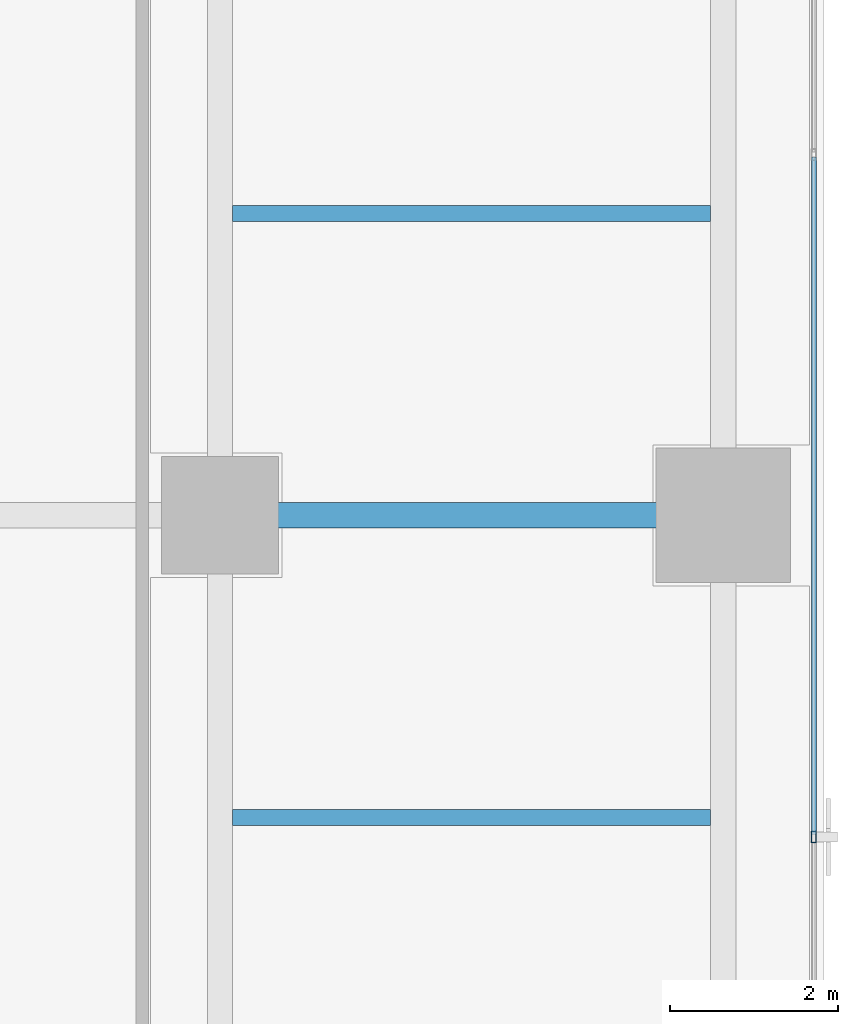
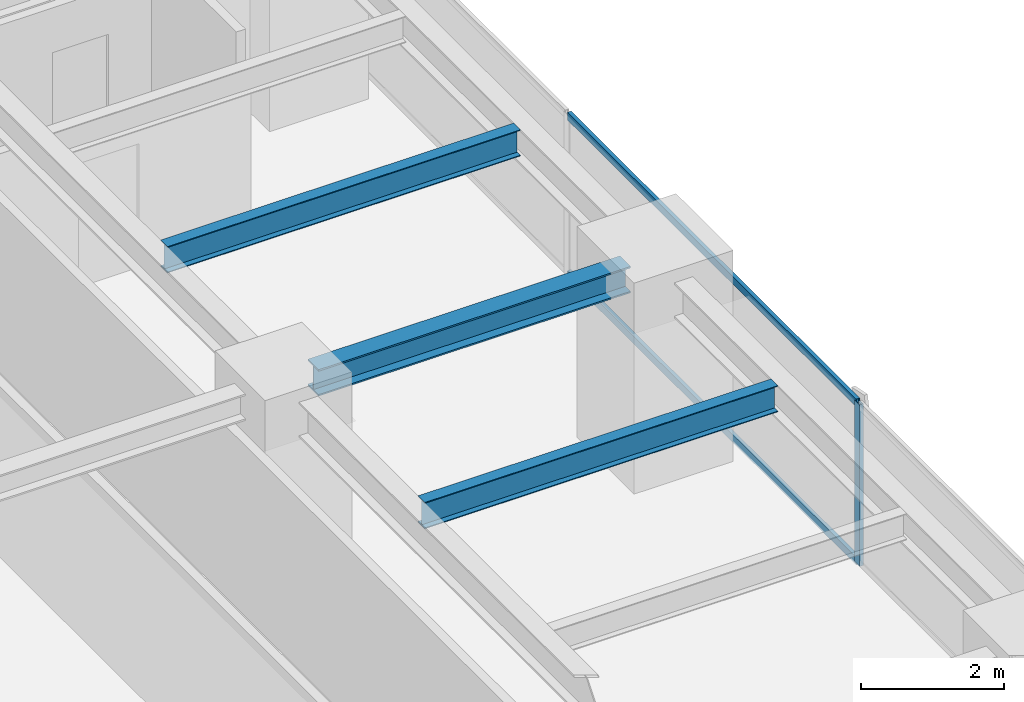
# One storey, part 15 of 29: 3 beams, 3 members, 1 element without a shape of its own.
"""IFC4 building model written with IfcOpenShell, lengths in metres."""

from ifc_helpers import new_model, si_unit, direction, frame, origin, origin_2d, place, context, subcontext, project, spatial, hollow_rectangle, i_section, extrude, source, transform, mapped, material, layer, layer_set, material_profile, profile_set, type_object, element, aggregate, save


model = new_model("IFC4")

# Units and contexts
model_context = context("Model", 3, precision=1e-05, world=origin(), true_north=direction((0.0, 1.0)))
body_context = subcontext(model_context, "Body", "Model", "MODEL_VIEW")
ifc_project = project(units=[si_unit("LENGTHUNIT", "METRE"), si_unit("AREAUNIT", "SQUARE_METRE"), si_unit("VOLUMEUNIT", "CUBIC_METRE"), si_unit("PLANEANGLEUNIT", "RADIAN"), si_unit("MASSUNIT", "GRAM", prefix="KILO")], contexts=[model_context])

# Site, building, storey
site_placement = place(None, origin())
site = spatial("IfcSite", under=ifc_project, at=site_placement, CompositionType="ELEMENT")
building_placement = place(site_placement, origin())
building = spatial("IfcBuilding", under=site, at=building_placement, Name="Sumidabori Civic Tower", CompositionType="ELEMENT")
storey_placement = place(building_placement, frame((0.0, 0.0, 207.199951171875)))
storey = spatial("IfcBuildingStorey", under=building, at=storey_placement, Name="L53", CompositionType="ELEMENT", Elevation=207.199951171875)

# Beams
ifc_material_1 = material(Name="Steel SN490", Category="steel")
ifc_material_profile_1 = material_profile(ifc_material_1, i_section(OverallWidth=0.18994140625, OverallDepth=0.449951171875, WebThickness=0.009521484375, FlangeThickness=0.0146484375, at=origin_2d()), Name="IPE 450")
ifc_profile_set_1 = profile_set([ifc_material_profile_1], Name="Steel SN490")
beam_type_1 = type_object("IfcBeamType", Name="BM-JST-450", PredefinedType="JOIST", material=ifc_profile_set_1)
shared_shape_1 = source(origin(), body_context, "Body", "SweptSolid", [
    extrude(i_section(OverallWidth=0.18994140625, OverallDepth=0.449951171875, WebThickness=0.009521484375, FlangeThickness=0.0146484375, at=origin_2d()), origin(), (0.0, 0.0, 1.0), 5.699951171875),
])
for number, where, z_axis, x_axis, name in (
    (1, (16.949951171875, -3.60009765625, 3.155029296875), (1.0, 0.0, 0.0), (0.0, 1.0, 0.0), "Outer Bay Floor Joist L53 JSTO-28"),
    (2, (16.949951171875, 3.60009765625, 3.155029296875), (1.0, 0.0, 0.0), (0.0, 1.0, 0.0), "Outer Bay Floor Joist L53 JSTO-30"),
):
    element("IfcBeam", number, at=place(storey_placement, frame(where, z_axis=z_axis, x_axis=x_axis)), inside=storey, type_object=beam_type_1, Name=name, PredefinedType="JOIST", context=body_context, shape_type="MappedRepresentation", body=[
        mapped(shared_shape_1, transform((0.0, 0.0, 0.0), x_axis=(1.0, 0.0, 0.0), y_axis=(0.0, 1.0, 0.0), z_axis=(0.0, 0.0, 1.0), scale=1.0)),
    ])
ifc_material_profile_2 = material_profile(ifc_material_1, i_section(OverallWidth=0.300048828125, OverallDepth=0.449951171875, WebThickness=0.013916015625, FlangeThickness=0.02587890625, at=origin_2d()), Name="HE 450 B")
ifc_profile_set_2 = profile_set([ifc_material_profile_2], Name="Steel SN490")
beam_type_2 = type_object("IfcBeamType", Name="BM-GIRD-450", PredefinedType="BEAM", material=ifc_profile_set_2)
shared_shape_2 = source(origin(), body_context, "Body", "SweptSolid", [
    extrude(i_section(OverallWidth=0.300048828125, OverallDepth=0.449951171875, WebThickness=0.013916015625, FlangeThickness=0.02587890625, at=origin_2d()), origin(), (0.0, 0.0, 1.0), 5.0400390625),
])
beam_placement = place(storey_placement, frame((17.280029296875, 0.0, 3.155029296875), z_axis=(1.0, 0.0, 0.0), x_axis=(0.0, 1.0, 0.0)))
element("IfcBeam", 3, at=beam_placement, inside=storey, type_object=beam_type_2, Name="Primary Girder L53 GX-08", PredefinedType="BEAM", context=body_context, shape_type="MappedRepresentation", body=[
    mapped(shared_shape_2, transform((0.0, 0.0, 0.0), x_axis=(1.0, 0.0, 0.0), y_axis=(0.0, 1.0, 0.0), z_axis=(0.0, 0.0, 1.0), scale=1.0)),
])

# Curtain wall, members
ifc_material_2 = material(Name="Anodised Bronze Aluminium AW-6063-T6", Category="aluminium")
ifc_layer = layer(ifc_material_2, 0.179931640625, Name="Anodised Bronze Aluminium AW-6063-T6")
ifc_layer_set = layer_set([ifc_layer], Name="Anodised Bronze Aluminium AW-6063-T6")
curtain_wall_type = type_object("IfcCurtainWallType", Name="CW-SYS-5", PredefinedType="NOTDEFINED", material=ifc_layer_set)
curtain_wall_placement = place(storey_placement, origin())
curtain_wall = element("IfcCurtainWall", 4, at=curtain_wall_placement, inside=storey, type_object=curtain_wall_type, Name="Curtain Wall CW:L53:R10", PredefinedType="NOTDEFINED")
ifc_material_profile_3 = material_profile(ifc_material_2, hollow_rectangle(XDim=0.06005859375, YDim=0.139892578125, WallThickness=0.0048828125, at=origin_2d()), Name="ALU MULLION 140x60")
ifc_profile_set_3 = profile_set([ifc_material_profile_3], Name="Anodised Bronze Aluminium AW-6063-T6")
member_type_1 = type_object("IfcMemberType", Name="CW-MUL-140", PredefinedType="MULLION", material=ifc_profile_set_3)
shared_shape_3 = source(origin(), body_context, "Body", "SweptSolid", [
    extrude(hollow_rectangle(XDim=0.06005859375, YDim=0.139892578125, WallThickness=0.0048828125, at=origin_2d()), origin(), (0.0, 0.0, 1.0), 2.760009765625),
])
member_1_placement = place(storey_placement, frame((23.8798828125, -3.8349609375, 0.0), z_axis=(0.0, 0.0, 1.0), x_axis=(-1.0, 0.0, 0.0)))
member_1 = element("IfcMember", 5, at=member_1_placement, type_object=member_type_1, Name="CW-5 mullion 2", PredefinedType="MULLION", context=body_context, shape_type="MappedRepresentation", body=[
    mapped(shared_shape_3, transform((0.0, 0.0, 0.0), x_axis=(1.0, 0.0, 0.0), y_axis=(0.0, 1.0, 0.0), z_axis=(0.0, 0.0, 1.0), scale=1.0)),
])
ifc_material_profile_4 = material_profile(ifc_material_2, hollow_rectangle(XDim=0.06005859375, YDim=0.1298828125, WallThickness=0.0048828125, at=origin_2d()), Name="ALU TRANSOM 130x60")
ifc_profile_set_4 = profile_set([ifc_material_profile_4], Name="Anodised Bronze Aluminium AW-6063-T6")
member_type_2 = type_object("IfcMemberType", Name="CW-TRN-130", PredefinedType="USERDEFINED", material=ifc_profile_set_4)
shared_shape_4 = source(origin(), body_context, "Body", "SweptSolid", [
    extrude(hollow_rectangle(XDim=0.06005859375, YDim=0.1298828125, WallThickness=0.0048828125, at=origin_2d()), origin(), (0.0, 0.0, 1.0), 8.074951171875),
])
member_2_placement = place(storey_placement, frame((23.8798828125, -3.804931640625, 0.030029296875), z_axis=(0.0, 1.0, 0.0), x_axis=(-1.0, 0.0, 0.0)))
member_2 = element("IfcMember", 6, at=member_2_placement, type_object=member_type_2, Name="CW-5 transom 2.1", ObjectType="TRANSOM", PredefinedType="USERDEFINED", context=body_context, shape_type="MappedRepresentation", body=[
    mapped(shared_shape_4, transform((0.0, 0.0, 0.0), x_axis=(1.0, 0.0, 0.0), y_axis=(0.0, 1.0, 0.0), z_axis=(0.0, 0.0, 1.0), scale=1.0)),
])
member_3_placement = place(storey_placement, frame((23.8798828125, -3.804931640625, 2.72998046875), z_axis=(0.0, 1.0, 0.0), x_axis=(-1.0, 0.0, 0.0)))
member_3 = element("IfcMember", 7, at=member_3_placement, type_object=member_type_2, Name="CW-5 transom 2.2", ObjectType="TRANSOM", PredefinedType="USERDEFINED", context=body_context, shape_type="MappedRepresentation", body=[
    mapped(shared_shape_4, transform((0.0, 0.0, 0.0), x_axis=(1.0, 0.0, 0.0), y_axis=(0.0, 1.0, 0.0), z_axis=(0.0, 0.0, 1.0), scale=1.0)),
])
aggregate(curtain_wall, [member_1, member_2, member_3])

save(model, "model.ifc")
